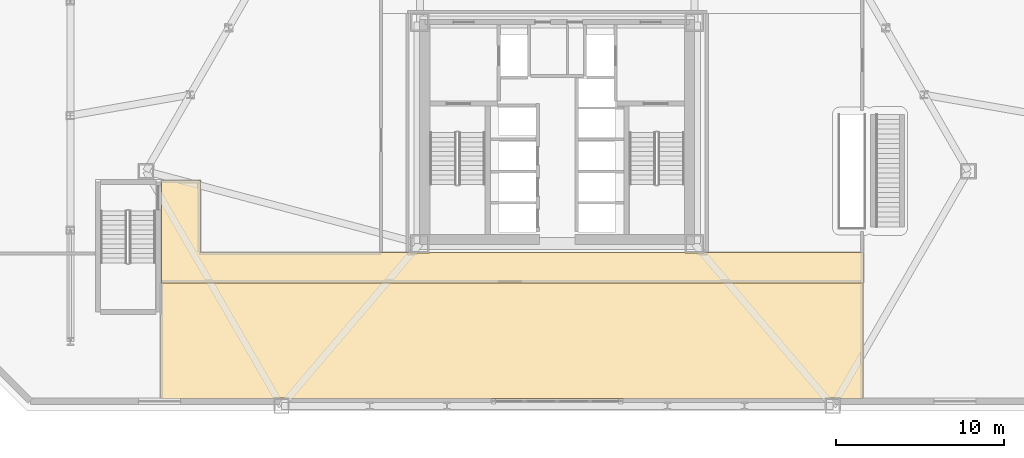
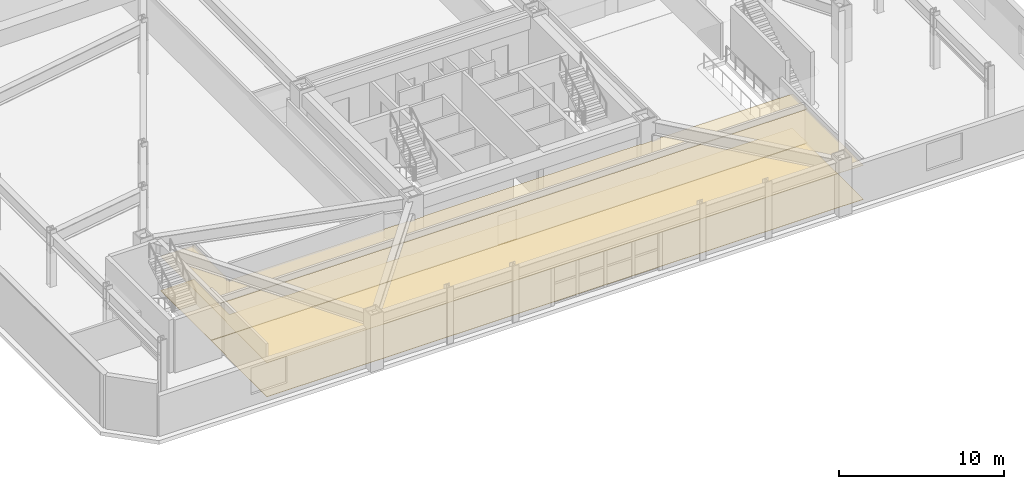
# One storey, part 18 of 22: 4 coverings.
"""IFC4 building model written with IfcOpenShell, lengths in metres."""

import ifcopenshell
import ifcopenshell.guid

model = None  # the IFC model being written
_history = None  # IfcOwnerHistory: only IFC2X3 demands one
_inside = {}  # id of a spatial element -> (the spatial element, [elements in it])
_under = {}  # id of a project, library or spatial element -> (it, [spatial elements below it])
_declared = {}  # id of a project -> (the project, [libraries it declares])
_typed = {}  # id of a type object -> (the type object, [elements of that type])
_made_of = {}  # id of a material, layer set ... -> (it, [elements and type objects made of it])


def new_model(schema):
    """Start an empty IFC model of exactly this schema.

    Asked for "IFC4X3", IfcOpenShell would pick the latest addendum, in which some entities
    have other attributes; the version numbers below select the first issue.
    IFC2X3 requires an IfcOwnerHistory on every rooted entity: one is made here for all.
    """
    global model, _history
    if schema == "IFC4X3":
        model = ifcopenshell.file(schema_version=(4, 3, 0, 0))
    else:
        model = ifcopenshell.file(schema=schema)
    _inside.clear()
    _under.clear()
    _declared.clear()
    _typed.clear()
    _made_of.clear()
    _history = None
    if model.schema == "IFC2X3":
        org = make("IfcOrganization", Name="unknown")
        user = make(
            "IfcPersonAndOrganization",
            ThePerson=make("IfcPerson", FamilyName="unknown"),
            TheOrganization=org,
        )
        app = make(
            "IfcApplication",
            ApplicationDeveloper=org,
            Version="unknown",
            ApplicationFullName="unknown",
            ApplicationIdentifier="unknown",
        )
        _history = make(
            "IfcOwnerHistory",
            OwningUser=user,
            OwningApplication=app,
            ChangeAction="ADDED",
            CreationDate=0,
        )
    return model


def make(cls, **values):
    """One entity of the class cls with the attributes given. An attribute that is None is left unset."""
    return model.create_entity(
        cls, **{name: value for name, value in values.items() if value is not None}
    )


def rooted(cls, **values):
    """An entity with a GlobalId (a new one), such as an element, a storey or a relation."""
    return make(cls, GlobalId=ifcopenshell.guid.new(), OwnerHistory=_history, **values)


def si_unit(unit_type, name, prefix=None):
    """IfcSIUnit, for example si_unit("LENGTHUNIT", "METRE", prefix="MILLI")."""
    return make("IfcSIUnit", UnitType=unit_type, Prefix=prefix, Name=name)


def assignment(units):
    """IfcUnitAssignment: the units of a project."""
    return None if units is None else make("IfcUnitAssignment", Units=units)


def point(xyz):
    """IfcCartesianPoint."""
    return None if xyz is None else make("IfcCartesianPoint", Coordinates=xyz)


def direction(xyz):
    """IfcDirection."""
    return None if xyz is None else make("IfcDirection", DirectionRatios=xyz)


def frame(location, z_axis=None, x_axis=None):
    """IfcAxis2Placement3D, a coordinate frame: its origin and axes. An axis left out is left unset."""
    return make(
        "IfcAxis2Placement3D",
        Location=point(location),
        Axis=direction(z_axis),
        RefDirection=direction(x_axis),
    )


def origin():
    """The frame at (0, 0, 0) with its axes left unset."""
    return frame((0.0, 0.0, 0.0))


def place(relative_to, where):
    """IfcLocalPlacement: puts the frame where relative to a parent placement (None: the world)."""
    return make(
        "IfcLocalPlacement", PlacementRelTo=relative_to, RelativePlacement=where
    )


def context(
    kind, dimensions, precision=None, world=None, true_north=None, identifier=None
):
    """IfcGeometricRepresentationContext, for example the 3D "Model" context."""
    return make(
        "IfcGeometricRepresentationContext",
        ContextIdentifier=identifier,
        ContextType=kind,
        CoordinateSpaceDimension=dimensions,
        Precision=precision,
        WorldCoordinateSystem=world,
        TrueNorth=true_north,
    )


def subcontext(parent, identifier, kind, view, scale=None):
    """IfcGeometricRepresentationSubContext, for example "Body" below "Model"."""
    return make(
        "IfcGeometricRepresentationSubContext",
        ContextIdentifier=identifier,
        ContextType=kind,
        ParentContext=parent,
        TargetScale=scale,
        TargetView=view,
    )


def project(units=None, contexts=None):
    """IfcProject with its units and contexts."""
    return rooted(
        "IfcProject",
        Name="project",
        RepresentationContexts=contexts,
        UnitsInContext=assignment(units),
    )


def spatial(cls, under=None, at=None, **own):
    """A site, building, storey or space (cls), placed at a placement, below another one or the project."""
    s = rooted(cls, ObjectPlacement=at, **own)
    if under is not None:
        _under.setdefault(under.id(), (under, []))[1].append(s)
    return s


def polyline(points):
    """IfcPolyline through the points."""
    return make("IfcPolyline", Points=[point(p) for p in points])


def outline(outer, holes=None, kind="AREA"):
    """IfcArbitraryClosedProfileDef: a profile drawn as a closed curve; with holes, ...WithVoids."""
    if holes is None:
        return make("IfcArbitraryClosedProfileDef", ProfileType=kind, OuterCurve=outer)
    return make(
        "IfcArbitraryProfileDefWithVoids",
        ProfileType=kind,
        OuterCurve=outer,
        InnerCurves=holes,
    )


def extrude(swept, where, along, depth):
    """IfcExtrudedAreaSolid: the profile swept, set in the frame where, extruded along a direction by depth."""
    return make(
        "IfcExtrudedAreaSolid",
        SweptArea=swept,
        Position=where,
        ExtrudedDirection=direction(along),
        Depth=depth,
    )


def shape(context_of_items, identifier, shape_type, items):
    """IfcShapeRepresentation: the items that make up one representation, for example the "Body"."""
    return make(
        "IfcShapeRepresentation",
        ContextOfItems=context_of_items,
        RepresentationIdentifier=identifier,
        RepresentationType=shape_type,
        Items=items,
    )


def material(Name=None, Category=None):
    """IfcMaterial."""
    return make("IfcMaterial", Name=Name, Category=Category)


def layer(
    of_material, thickness, ventilated=None, Name=None, Category=None, Priority=None
):
    """IfcMaterialLayer: one layer of a wall or slab, of a material (None: an air gap)."""
    return make(
        "IfcMaterialLayer",
        Material=of_material,
        LayerThickness=thickness,
        IsVentilated=ventilated,
        Name=Name,
        Category=Category,
        Priority=Priority,
    )


def layer_set(layers, Name=None):
    """IfcMaterialLayerSet."""
    return make("IfcMaterialLayerSet", MaterialLayers=layers, LayerSetName=Name)


def made_of(thing, what):
    """Note that an element or type object is made of a material, layer set ...; save() writes the relation."""
    if what is not None:
        _made_of.setdefault(what.id(), (what, []))[1].append(thing)
    return thing


def type_object(cls, material=None, **own):
    """A type object (cls), such as IfcWallType, which elements share."""
    return made_of(rooted(cls, **own), material)


def element(
    cls,
    number,
    at=None,
    inside=None,
    cuts=None,
    type_object=None,
    material=None,
    context=None,
    identifier="Body",
    shape_type=None,
    held_by="IfcProductDefinitionShape",
    body=None,
    shapes=None,
    **own,
):
    """One element of the class cls, such as IfcWall. Its Tag is "e" and its number.

    at: its placement. inside: the storey or other place that contains it. cuts: it is an
    opening in that element (IfcRelVoidsElement). A single representation is given by context,
    identifier, shape_type and body (its items); several are given by shapes. held_by: the class
    of the entity that holds the representations. save() writes the other relations.
    """
    e = rooted(cls, Tag="e%d" % number, ObjectPlacement=at, **own)
    if body is not None:
        shapes = [shape(context, identifier, shape_type, body)]
    if shapes is not None:
        e.Representation = make(held_by, Representations=shapes)
    if inside is not None:
        _inside.setdefault(inside.id(), (inside, []))[1].append(e)
    if cuts is not None:
        rooted(
            "IfcRelVoidsElement", RelatingBuildingElement=cuts, RelatedOpeningElement=e
        )
    if type_object is not None:
        _typed.setdefault(type_object.id(), (type_object, []))[1].append(e)
    return made_of(e, material)


def aggregate(whole, parts):
    """IfcRelAggregates: a whole, such as a stair, and the parts it consists of."""
    return rooted("IfcRelAggregates", RelatingObject=whole, RelatedObjects=parts)


def save(model, path):
    """Write the relations noted so far, then the file.

    IfcRelAggregates (storeys below a building ...), IfcRelContainedInSpatialStructure (elements
    in a storey), IfcRelDefinesByType, IfcRelAssociatesMaterial and IfcRelDeclares: one each for
    every whole, place, type object, material and project.
    """
    for whole, parts in _under.values():
        aggregate(whole, parts)
    for where, things in _inside.values():
        rooted(
            "IfcRelContainedInSpatialStructure",
            RelatedElements=things,
            RelatingStructure=where,
        )
    for kind, things in _typed.values():
        rooted("IfcRelDefinesByType", RelatedObjects=things, RelatingType=kind)
    for what, things in _made_of.values():
        rooted("IfcRelAssociatesMaterial", RelatedObjects=things, RelatingMaterial=what)
    for by, libraries in _declared.values():
        rooted("IfcRelDeclares", RelatingContext=by, RelatedDefinitions=libraries)
    model.write(path)


model = new_model("IFC4")

# Units and contexts
model_context = context("Model", 3, precision=1e-05, world=origin(), true_north=direction((0.0, 1.0)))
body_context = subcontext(model_context, "Body", "Model", "MODEL_VIEW")
ifc_project = project(units=[si_unit("LENGTHUNIT", "METRE"), si_unit("AREAUNIT", "SQUARE_METRE"), si_unit("VOLUMEUNIT", "CUBIC_METRE"), si_unit("PLANEANGLEUNIT", "RADIAN"), si_unit("MASSUNIT", "GRAM", prefix="KILO")], contexts=[model_context])

# Site, building, storey
site_placement = place(None, origin())
site = spatial("IfcSite", under=ifc_project, at=site_placement, CompositionType="ELEMENT")
building_placement = place(site_placement, origin())
building = spatial("IfcBuilding", under=site, at=building_placement, Name="Oramaril Tower", CompositionType="ELEMENT")
storey_placement = place(building_placement, frame((0.0, 0.0, 14.10009765625)))
storey = spatial("IfcBuildingStorey", under=building, at=storey_placement, Name="L03", CompositionType="ELEMENT", Elevation=14.10009765625)

# Coverings
ifc_material_1 = material(Name="Mineral Fibre Acoustic Ceiling")
ifc_layer_1 = layer(ifc_material_1, 0.02001953125)
ifc_layer_set_1 = layer_set([ifc_layer_1], Name="CVT-CEIL")
covering_type_1 = type_object("IfcCoveringType", Name="CVT-CEIL", PredefinedType="CEILING", material=ifc_layer_set_1)
covering_1_placement = place(storey_placement, frame((0.0, 0.0, 2.52197265625)))
element("IfcCovering", 1, at=covering_1_placement, inside=storey, type_object=covering_type_1, Name="L03 Acoustic Suspended Ceiling 1", PredefinedType="CEILING", context=body_context, shape_type="SweptSolid", body=[
    extrude(outline(polyline([(28.780029296875, 10.47998046875), (28.780029296875, 10.429931640625), (29.919921875, 10.429931640625), (29.919921875, 10.47998046875), (45.080078125, 10.47998046875), (45.080078125, 10.429931640625), (46.219970703125, 10.429931640625), (46.219970703125, 10.47998046875), (55.679931640625, 10.47998046875), (55.679931640625, 8.669921875), (14.0, 8.669921875), (14.0, 14.760009765625), (16.330078125, 14.760009765625), (16.330078125, 10.47998046875), (28.780029296875, 10.47998046875)])), origin(), (0.0, 0.0, 1.0), 0.02001953125),
])
covering_2_placement = place(storey_placement, frame((0.0, 0.0, 2.52197265625)))
element("IfcCovering", 2, at=covering_2_placement, inside=storey, type_object=covering_type_1, Name="L03 Acoustic Suspended Ceiling 5", PredefinedType="CEILING", context=body_context, shape_type="SweptSolid", body=[
    extrude(outline(polyline([(14.0, 6.800048828125), (14.0, 8.64990234375), (55.64208984375, 8.64990234375), (55.64208984375, 1.818115234375), (54.33203125, 1.818115234375), (54.33203125, 1.830078125), (53.39208984375, 1.830078125), (53.39208984375, 1.818115234375), (21.60791015625, 1.818115234375), (21.60791015625, 1.830078125), (20.66796875, 1.830078125), (20.66796875, 1.818115234375), (13.9580078125, 1.818115234375), (13.9580078125, 6.800048828125), (14.0, 6.800048828125)])), origin(), (0.0, 0.0, 1.0), 0.02001953125),
])
ifc_material_2 = material(Name="Honed Quartzite Stone Flooring", Category="masonry")
ifc_layer_2 = layer(ifc_material_2, 0.02490234375)
ifc_layer_set_2 = layer_set([ifc_layer_2], Name="CVT-FLR")
covering_type_2 = type_object("IfcCoveringType", Name="CVT-FLR", PredefinedType="FLOORING", material=ifc_layer_set_2)
covering_3_placement = place(storey_placement, origin())
element("IfcCovering", 3, at=covering_3_placement, inside=storey, type_object=covering_type_2, Name="L03 Honed Stone Floor Finish 1", PredefinedType="FLOORING", context=body_context, shape_type="SweptSolid", body=[
    extrude(outline(polyline([(28.780029296875, 10.47998046875), (28.780029296875, 10.429931640625), (29.919921875, 10.429931640625), (29.919921875, 10.47998046875), (45.080078125, 10.47998046875), (45.080078125, 10.429931640625), (46.219970703125, 10.429931640625), (46.219970703125, 10.47998046875), (55.679931640625, 10.47998046875), (55.679931640625, 8.669921875), (14.0, 8.669921875), (14.0, 14.760009765625), (16.330078125, 14.760009765625), (16.330078125, 10.47998046875), (28.780029296875, 10.47998046875)])), origin(), (0.0, 0.0, 1.0), 0.02490234375),
])
covering_4_placement = place(storey_placement, origin())
element("IfcCovering", 4, at=covering_4_placement, inside=storey, type_object=covering_type_2, Name="L03 Honed Stone Floor Finish 5", PredefinedType="FLOORING", context=body_context, shape_type="SweptSolid", body=[
    extrude(outline(polyline([(14.0, 6.800048828125), (14.0, 8.64990234375), (55.64208984375, 8.64990234375), (55.64208984375, 1.818115234375), (54.33203125, 1.818115234375), (54.33203125, 1.830078125), (53.39208984375, 1.830078125), (53.39208984375, 1.818115234375), (21.60791015625, 1.818115234375), (21.60791015625, 1.830078125), (20.66796875, 1.830078125), (20.66796875, 1.818115234375), (13.9580078125, 1.818115234375), (13.9580078125, 6.800048828125), (14.0, 6.800048828125)])), origin(), (0.0, 0.0, 1.0), 0.02490234375),
])

save(model, "model.ifc")
